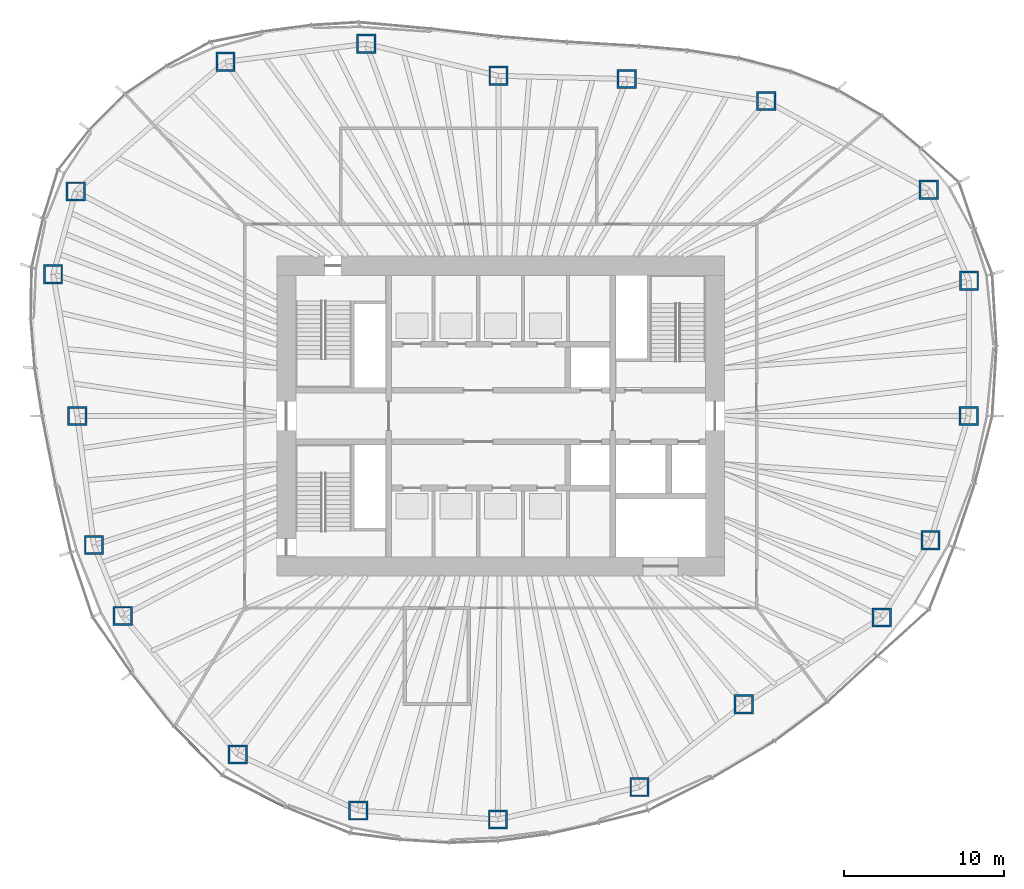
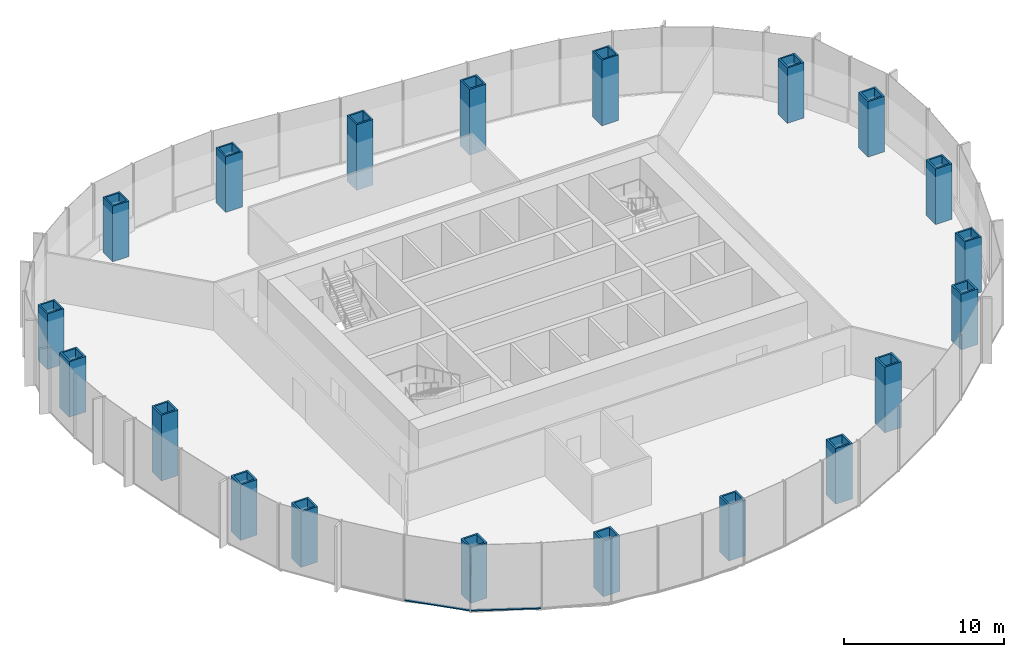
# One storey, part 1 of 18: 20 columns, 2 members, 2 elements without a shape of their own.
"""IFC4 building model written with IfcOpenShell, lengths in metres."""

from ifc_helpers import new_model, si_unit, direction, frame, origin, origin_2d, place, context, subcontext, project, spatial, rectangle, hollow_rectangle, extrude, material, material_profile, profile_set, type_object, element, aggregate, save


model = new_model("IFC4")

# Units and contexts
model_context = context("Model", 3, precision=1e-05, world=origin(), true_north=direction((0.0, 1.0)))
body_context = subcontext(model_context, "Body", "Model", "MODEL_VIEW")
ifc_project = project(units=[si_unit("LENGTHUNIT", "METRE"), si_unit("AREAUNIT", "SQUARE_METRE"), si_unit("VOLUMEUNIT", "CUBIC_METRE"), si_unit("PLANEANGLEUNIT", "RADIAN"), si_unit("MASSUNIT", "GRAM", prefix="KILO")], contexts=[model_context])

# Site, building, storey
site_placement = place(None, origin())
site = spatial("IfcSite", under=ifc_project, at=site_placement, CompositionType="ELEMENT")
building_placement = place(site_placement, origin())
building = spatial("IfcBuilding", under=site, at=building_placement, Name="Ghaith Harvest Tower", CompositionType="ELEMENT")
storey_placement = place(building_placement, frame((0.0, 0.0, 184.800048828125)))
storey = spatial("IfcBuildingStorey", under=building, at=storey_placement, Name="L40", CompositionType="ELEMENT", Elevation=184.800048828125)

# Columns
ifc_material_1 = material(Name="Steel S460M", Category="steel")
ifc_material_profile_1 = material_profile(ifc_material_1, hollow_rectangle(XDim=1.199951171875, YDim=1.199951171875, WallThickness=0.1201171875, at=origin_2d()), Name="BOX1200X1200X120")
ifc_profile_set_1 = profile_set([ifc_material_profile_1], Name="Steel S460M")
column_type = type_object("IfcColumnType", Name="TS7 BOX1200X1200X120", PredefinedType="COLUMN", material=ifc_profile_set_1)
for number, where, z_axis, x_axis, name in (
    (1, (29.259033203125, 0.0, 0.0), (0.0, 0.0, 1.0), (1.0, 0.0, 0.0), "Perimeter column C01"),
    (2, (29.285888671875, 8.464111328125, 0.0), (0.0, 0.0, 1.0), (1.0, 0.0, 0.0), "Perimeter column C02"),
    (3, (26.763916015625, 14.14697265625, 0.0), (0.0, 0.0, 1.0), (1.0, 0.0, 0.0), "Perimeter column C03"),
):
    element("IfcColumn", number, at=place(storey_placement, frame(where, z_axis=z_axis, x_axis=x_axis)), inside=storey, type_object=column_type, Name=name, PredefinedType="COLUMN", context=body_context, shape_type="SweptSolid", body=[
        extrude(hollow_rectangle(XDim=1.199951171875, YDim=1.199951171875, WallThickness=0.1201171875, at=origin_2d()), origin(), (0.0, 0.0, 1.0), 4.224853515625),
    ])
for number, where, z_axis, x_axis, name in (
    (4, (16.60791015625, 19.695068359375, 0.0), (0.0, 0.0, 1.0), (1.0, 0.0, 0.0), "Perimeter column C04"),
    (5, (7.8779296875, 21.072021484375, 0.0), (0.0, 0.0, 1.0), (1.0, 0.0, 0.0), "Perimeter column C05"),
    (6, (-0.14599609375, 21.27099609375, 0.0), (0.0, 0.0, 1.0), (1.0, 0.0, 0.0), "Perimeter column C06"),
):
    element("IfcColumn", number, at=place(storey_placement, frame(where, z_axis=z_axis, x_axis=x_axis)), inside=storey, type_object=column_type, Name=name, PredefinedType="COLUMN", context=body_context, shape_type="SweptSolid", body=[
        extrude(hollow_rectangle(XDim=1.199951171875, YDim=1.199951171875, WallThickness=0.1201171875, at=origin_2d()), origin(), (0.0, 0.0, 1.0), 5.0),
    ])
for number, where, z_axis, x_axis, name in (
    (7, (-8.406982421875, 23.27587890625, 0.0), (0.0, 0.0, 1.0), (1.0, 0.0, 0.0), "Perimeter column C07"),
    (8, (-17.201904296875, 22.14990234375, 0.0), (0.0, 0.0, 1.0), (1.0, 0.0, 0.0), "Perimeter column C08"),
    (9, (-26.572998046875, 14.0458984375, 0.0), (0.0, 0.0, 1.0), (1.0, 0.0, 0.0), "Perimeter column C09"),
    (10, (-27.98291015625, 8.867919921875, 0.0), (0.0, 0.0, 1.0), (1.0, 0.0, 0.0), "Perimeter column C10"),
):
    element("IfcColumn", number, at=place(storey_placement, frame(where, z_axis=z_axis, x_axis=x_axis)), inside=storey, type_object=column_type, Name=name, PredefinedType="COLUMN", context=body_context, shape_type="SweptSolid", body=[
        extrude(hollow_rectangle(XDim=1.199951171875, YDim=1.199951171875, WallThickness=0.1201171875, at=origin_2d()), origin(), (0.0, 0.0, 1.0), 4.224853515625),
    ])
column_1_placement = place(storey_placement, frame((-26.47509765625, 0.0, 0.0), z_axis=(0.0, 0.0, 1.0), x_axis=(1.0, 0.0, 0.0)))
element("IfcColumn", 11, at=column_1_placement, inside=storey, type_object=column_type, Name="Perimeter column C11", PredefinedType="COLUMN", context=body_context, shape_type="SweptSolid", body=[
    extrude(hollow_rectangle(XDim=1.199951171875, YDim=1.199951171875, WallThickness=0.1201171875, at=origin_2d()), origin(), (0.0, 0.0, 1.0), 5.0),
])
for number, where, z_axis, x_axis, name in (
    (12, (-25.43603515625, -8.06103515625, 0.0), (0.0, 0.0, 1.0), (1.0, 0.0, 0.0), "Perimeter column C12"),
    (13, (-23.635009765625, -12.492919921875, 0.0), (0.0, 0.0, 1.0), (1.0, 0.0, 0.0), "Perimeter column C13"),
    (14, (-16.43701171875, -21.1640625, 0.0), (0.0, 0.0, 1.0), (1.0, 0.0, 0.0), "Perimeter column C14"),
    (15, (-8.908935546875, -24.66796875, 0.0), (0.0, 0.0, 1.0), (1.0, 0.0, 0.0), "Perimeter column C15"),
    (16, (-0.173095703125, -25.22412109375, 0.0), (0.0, 0.0, 1.0), (1.0, 0.0, 0.0), "Perimeter column C16"),
    (17, (8.674072265625, -23.202880859375, 0.0), (0.0, 0.0, 1.0), (1.0, 0.0, 0.0), "Perimeter column C17"),
):
    element("IfcColumn", number, at=place(storey_placement, frame(where, z_axis=z_axis, x_axis=x_axis)), inside=storey, type_object=column_type, Name=name, PredefinedType="COLUMN", context=body_context, shape_type="SweptSolid", body=[
        extrude(hollow_rectangle(XDim=1.199951171875, YDim=1.199951171875, WallThickness=0.1201171875, at=origin_2d()), origin(), (0.0, 0.0, 1.0), 4.224853515625),
    ])
column_2_placement = place(storey_placement, frame((15.197998046875, -18.02294921875, 0.0), z_axis=(0.0, 0.0, 1.0), x_axis=(1.0, 0.0, 0.0)))
element("IfcColumn", 18, at=column_2_placement, inside=storey, type_object=column_type, Name="Perimeter column C18", PredefinedType="COLUMN", context=body_context, shape_type="SweptSolid", body=[
    extrude(hollow_rectangle(XDim=1.199951171875, YDim=1.199951171875, WallThickness=0.1201171875, at=origin_2d()), origin(), (0.0, 0.0, 1.0), 5.0),
])
for number, where, z_axis, x_axis, name in (
    (19, (23.825927734375, -12.593994140625, 0.0), (0.0, 0.0, 1.0), (1.0, 0.0, 0.0), "Perimeter column C19"),
    (20, (26.8779296875, -7.76806640625, 0.0), (0.0, 0.0, 1.0), (1.0, 0.0, 0.0), "Perimeter column C20"),
):
    element("IfcColumn", number, at=place(storey_placement, frame(where, z_axis=z_axis, x_axis=x_axis)), inside=storey, type_object=column_type, Name=name, PredefinedType="COLUMN", context=body_context, shape_type="SweptSolid", body=[
        extrude(hollow_rectangle(XDim=1.199951171875, YDim=1.199951171875, WallThickness=0.1201171875, at=origin_2d()), origin(), (0.0, 0.0, 1.0), 4.224853515625),
    ])

# Curtain wall, member
ifc_material_2 = material(Name="Black anodised aluminium and fritted glass", Category="aluminium")
curtain_wall_type = type_object("IfcCurtainWallType", Name="CW-S CURTAIN WALL", PredefinedType="NOTDEFINED", material=ifc_material_2)
curtain_wall_1_placement = place(storey_placement, origin())
curtain_wall_1 = element("IfcCurtainWall", 21, at=curtain_wall_1_placement, inside=storey, type_object=curtain_wall_type, Name="Curtain wall CW-S bay 13 L40", PredefinedType="NOTDEFINED")
ifc_material_3 = material(Name="Aluminium, black anodised", Category="aluminium")
ifc_material_profile_2 = material_profile(ifc_material_3, rectangle(XDim=0.159912109375, YDim=0.080078125, at=origin_2d()), Name="CW-S TRANSOM 160x80")
ifc_profile_set_2 = profile_set([ifc_material_profile_2], Name="Aluminium, black anodised")
member_type = type_object("IfcMemberType", Name="CW-S TRANSOM 160x80", PredefinedType="USERDEFINED", material=ifc_profile_set_2)
member_1_placement = place(storey_placement, frame((-20.4130859375, -19.425048828125, 0.0400390625), z_axis=(0.702854410476, -0.711333731574, 0.0), x_axis=(0.711333731574, 0.702854410476, 0.0)))
member_1 = element("IfcMember", 22, at=member_1_placement, type_object=member_type, Name="CW-S transom 2 bay 13 L40", ObjectType="TRANSOM", PredefinedType="USERDEFINED", context=body_context, shape_type="SweptSolid", body=[
    extrude(rectangle(XDim=0.159912109375, YDim=0.080078125, at=origin_2d()), origin(), (0.0, 0.0, 1.0), 4.20361328125),
])
aggregate(curtain_wall_1, [member_1])

curtain_wall_2_placement = place(storey_placement, origin())
curtain_wall_2 = element("IfcCurtainWall", 23, at=curtain_wall_2_placement, inside=storey, type_object=curtain_wall_type, Name="Curtain wall CW-S bay 14 L40", PredefinedType="NOTDEFINED")
member_2_placement = place(storey_placement, frame((-17.394775390625, -22.461669921875, 0.0400390625), z_axis=(0.893057524502, -0.449942505138, 0.0), x_axis=(0.449942505138, 0.893057524502, 0.0)))
member_2 = element("IfcMember", 24, at=member_2_placement, type_object=member_type, Name="CW-S transom 1 bay 14 L40", ObjectType="TRANSOM", PredefinedType="USERDEFINED", context=body_context, shape_type="SweptSolid", body=[
    extrude(rectangle(XDim=0.159912109375, YDim=0.080078125, at=origin_2d()), origin(), (0.0, 0.0, 1.0), 4.362548828125),
])
aggregate(curtain_wall_2, [member_2])

save(model, "model.ifc")
